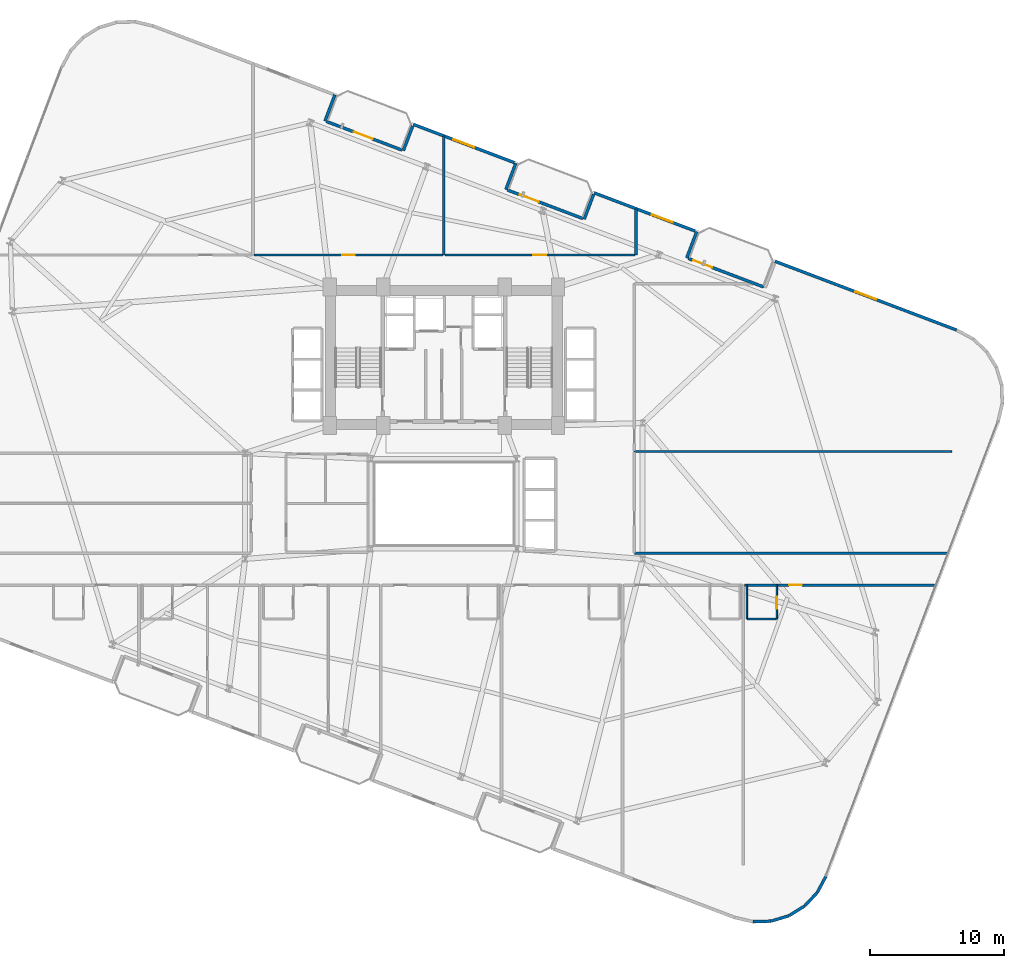
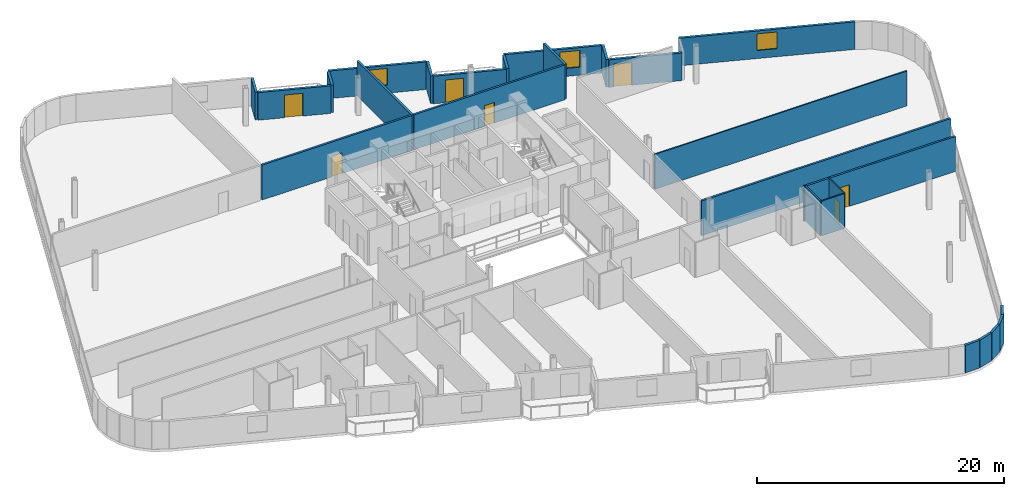
# One storey, part 20 of 25: 26 walls, 7 doors, 3 windows, 10 openings.
"""IFC4 building model written with IfcOpenShell, lengths in metres."""

from ifc_helpers import new_model, si_unit, direction, frame, frame_2d, origin, place, context, subcontext, project, spatial, rectangle, extrude, material, layer, layer_set, type_object, element, fill, save


model = new_model("IFC4")

# Units and contexts
model_context = context("Model", 3, precision=1e-05, world=origin(), true_north=direction((0.0, 1.0)))
body_context = subcontext(model_context, "Body", "Model", "MODEL_VIEW")
ifc_project = project(units=[si_unit("LENGTHUNIT", "METRE"), si_unit("AREAUNIT", "SQUARE_METRE"), si_unit("VOLUMEUNIT", "CUBIC_METRE"), si_unit("PLANEANGLEUNIT", "RADIAN"), si_unit("MASSUNIT", "GRAM", prefix="KILO")], contexts=[model_context])

# Site, building, storey
site_placement = place(None, origin())
site = spatial("IfcSite", under=ifc_project, at=site_placement, CompositionType="ELEMENT")
building_placement = place(site_placement, origin())
building = spatial("IfcBuilding", under=site, at=building_placement, Name="Varnelok Gate Tower", CompositionType="ELEMENT")
storey_placement = place(building_placement, frame((0.0, 0.0, 83.60009765625)))
storey = spatial("IfcBuildingStorey", under=building, at=storey_placement, Name="L20", CompositionType="ELEMENT", Elevation=83.60009765625)

# Wall, opening, door
ifc_material_1 = material(Name="Concrete C45/55", Category="concrete")
ifc_layer_1 = layer(ifc_material_1, 0.219970703125)
ifc_layer_set_1 = layer_set([ifc_layer_1], Name="Concrete C45/55")
wall_type_1 = type_object("IfcWallType", Name="EW-BALC-220", PredefinedType="SOLIDWALL", material=ifc_layer_set_1)
wall_1_placement = place(storey_placement, frame((30.465087890625, 51.37158203125, 0.0), z_axis=(0.0, 0.0, 1.0), x_axis=(0.935227640088, -0.354046976001, 0.0)))
wall_1 = element("IfcWall", 1, at=wall_1_placement, inside=storey, type_object=wall_type_1, Name="L20 North Terrace Envelope Wall 4", PredefinedType="SOLIDWALL", context=body_context, shape_type="SweptSolid", body=[
    extrude(rectangle(XDim=6.0, YDim=0.219970703125, at=frame_2d((3.0, 0.0))), origin(), (0.0, 0.0, 1.0), 2.72998046875),
])
opening_1_placement = place(wall_1_placement, frame((2.176025390625, 0.0, 0.0)))
opening_1 = element("IfcOpeningElement", 2, at=opening_1_placement, cuts=wall_1, Name="Opening BD-1", PredefinedType="OPENING", context=body_context, shape_type="SweptSolid", body=[
    extrude(rectangle(XDim=1.5, YDim=2.25, at=frame_2d((0.75, 1.125))), frame((0.0, 0.119873046875, 0.0), z_axis=(0.0, -1.0, 0.0), x_axis=(1.0, 0.0, 0.0)), (0.0, 0.0, 1.0), 0.239990234375),
])
ifc_material_2 = material(Name="Anodized Aluminum Alloy 6063-T6", Category="aluminium")
door_type_1 = type_object("IfcDoorType", Name="DR-EXT-BALC1500", OperationType="NOTDEFINED", PredefinedType="DOOR", material=ifc_material_2)
door_1_placement = place(opening_1_placement, origin())
door_1 = element("IfcDoor", 3, at=door_1_placement, inside=storey, type_object=door_type_1, Name="L20 North Balcony Glazed Door 4", OperationType="SINGLE_SWING_LEFT", OverallHeight=2.25, OverallWidth=1.5, PredefinedType="DOOR", context=body_context, shape_type="SweptSolid", body=[
    extrude(rectangle(XDim=1.5, YDim=2.25, at=frame_2d((0.75, 1.125))), frame((0.0, 0.02490234375, 0.0), z_axis=(0.0, -1.0, 0.0), x_axis=(1.0, 0.0, 0.0)), (0.0, 0.0, 1.0), 0.050048828125),
])
fill(opening_1, door_1)

wall_2_placement = place(storey_placement, frame((43.932373046875, 46.273193359375, 0.0), z_axis=(0.0, 0.0, 1.0), x_axis=(0.93521416643, -0.354082565101, 0.0)))
wall_2 = element("IfcWall", 4, at=wall_2_placement, inside=storey, type_object=wall_type_1, Name="L20 North Terrace Envelope Wall 5", PredefinedType="SOLIDWALL", context=body_context, shape_type="SweptSolid", body=[
    extrude(rectangle(XDim=6.0, YDim=0.219970703125, at=frame_2d((3.0, 0.0))), origin(), (0.0, 0.0, 1.0), 2.72998046875),
])
opening_2_placement = place(wall_2_placement, frame((0.991943359375, 0.0, 0.0)))
opening_2 = element("IfcOpeningElement", 5, at=opening_2_placement, cuts=wall_2, Name="Opening BD-1", PredefinedType="OPENING", context=body_context, shape_type="SweptSolid", body=[
    extrude(rectangle(XDim=1.5, YDim=2.25, at=frame_2d((0.75, 1.125))), frame((0.0, 0.119873046875, 0.0), z_axis=(0.0, -1.0, 0.0), x_axis=(1.0, 0.0, 0.0)), (0.0, 0.0, 1.0), 0.239990234375),
])
door_2_placement = place(opening_2_placement, origin())
door_2 = element("IfcDoor", 6, at=door_2_placement, inside=storey, type_object=door_type_1, Name="L20 North Balcony Glazed Door 5", OperationType="SINGLE_SWING_RIGHT", OverallHeight=2.25, OverallWidth=1.5, PredefinedType="DOOR", context=body_context, shape_type="SweptSolid", body=[
    extrude(rectangle(XDim=1.5, YDim=2.25, at=frame_2d((0.75, 1.125))), frame((0.0, 0.02490234375, 0.0), z_axis=(0.0, -1.0, 0.0), x_axis=(1.0, 0.0, 0.0)), (0.0, 0.0, 1.0), 0.050048828125),
])
fill(opening_2, door_2)

wall_3_placement = place(storey_placement, frame((57.3994140625, 41.174560546875, 0.0), z_axis=(0.0, 0.0, 1.0), x_axis=(0.935227640088, -0.354046976001, 0.0)))
wall_3 = element("IfcWall", 7, at=wall_3_placement, inside=storey, type_object=wall_type_1, Name="L20 North Terrace Envelope Wall 6", PredefinedType="SOLIDWALL", context=body_context, shape_type="SweptSolid", body=[
    extrude(rectangle(XDim=6.0, YDim=0.219970703125, at=frame_2d((3.0, 0.0))), origin(), (0.0, 0.0, 1.0), 2.72998046875),
])
opening_3_placement = place(wall_3_placement, frame((0.39990234375, 0.0, 0.0)))
opening_3 = element("IfcOpeningElement", 8, at=opening_3_placement, cuts=wall_3, Name="Opening BD-1", PredefinedType="OPENING", context=body_context, shape_type="SweptSolid", body=[
    extrude(rectangle(XDim=1.5, YDim=2.25, at=frame_2d((0.75, 1.125))), frame((0.0, 0.119873046875, 0.0), z_axis=(0.0, -1.0, 0.0), x_axis=(1.0, 0.0, 0.0)), (0.0, 0.0, 1.0), 0.239990234375),
])
door_3_placement = place(opening_3_placement, origin())
door_3 = element("IfcDoor", 9, at=door_3_placement, inside=storey, type_object=door_type_1, Name="L20 North Balcony Glazed Door 6", OperationType="SINGLE_SWING_LEFT", OverallHeight=2.25, OverallWidth=1.5, PredefinedType="DOOR", context=body_context, shape_type="SweptSolid", body=[
    extrude(rectangle(XDim=1.5, YDim=2.25, at=frame_2d((0.75, 1.125))), frame((0.0, 0.02490234375, 0.0), z_axis=(0.0, -1.0, 0.0), x_axis=(1.0, 0.0, 0.0)), (0.0, 0.0, 1.0), 0.050048828125),
])
fill(opening_3, door_3)

# Walls
wall_4_placement = place(storey_placement, frame((62.2158203125, -8.209228515625, 0.0), z_axis=(0.0, 0.0, 1.0), x_axis=(0.999523971993, 0.03085173271, 0.0)))
element("IfcWall", 10, at=wall_4_placement, inside=storey, type_object=wall_type_1, Name="L20 Perimeter Facade Closure Wall 18", PredefinedType="SOLIDWALL", context=body_context, shape_type="SweptSolid", body=[
    extrude(rectangle(XDim=1.353271484375, YDim=0.219970703125, at=frame_2d((0.6767578125, 0.0))), origin(), (0.0, 0.0, 1.0), 2.72998046875),
])
for number, where, z_axis, x_axis, name in (
    (11, (63.59228515625, -8.160400390625, 0.0), (0.0, 0.0, 1.0), (0.957532798303, 0.28832436625, 0.0), "L20 Perimeter Facade Closure Wall 19"),
    (12, (64.9091796875, -7.757080078125, 0.0), (0.0, 0.0, 1.0), (0.850180541217, 0.526491260456, 0.0), "L20 Perimeter Facade Closure Wall 20"),
):
    element("IfcWall", number, at=place(storey_placement, frame(where, z_axis=z_axis, x_axis=x_axis)), inside=storey, type_object=wall_type_1, Name=name, PredefinedType="SOLIDWALL", context=body_context, shape_type="SweptSolid", body=[
        extrude(rectangle(XDim=1.35302734375, YDim=0.219970703125, at=frame_2d((0.676513671875, 0.0))), origin(), (0.0, 0.0, 1.0), 2.72998046875),
    ])
wall_5_placement = place(storey_placement, frame((66.07666015625, -7.026611328125, 0.0), z_axis=(0.0, 0.0, 1.0), x_axis=(0.685032599484, 0.7285124142, 0.0)))
element("IfcWall", 13, at=wall_5_placement, inside=storey, type_object=wall_type_1, Name="L20 Perimeter Facade Closure Wall 21", PredefinedType="SOLIDWALL", context=body_context, shape_type="SweptSolid", body=[
    extrude(rectangle(XDim=1.353271484375, YDim=0.219970703125, at=frame_2d((0.6767578125, 0.0))), origin(), (0.0, 0.0, 1.0), 2.72998046875),
])
wall_6_placement = place(storey_placement, frame((67.015380859375, -6.018798828125, 0.0), z_axis=(0.0, 0.0, 1.0), x_axis=(0.473077364598, 0.881020889142, 0.0)))
element("IfcWall", 14, at=wall_6_placement, inside=storey, type_object=wall_type_1, Name="L20 Perimeter Facade Closure Wall 22", PredefinedType="SOLIDWALL", context=body_context, shape_type="SweptSolid", body=[
    extrude(rectangle(XDim=1.35302734375, YDim=0.219970703125, at=frame_2d((0.676513671875, 0.0))), origin(), (0.0, 0.0, 1.0), 2.72998046875),
])

# Wall, opening, window
wall_7_placement = place(storey_placement, frame((77.37451171875, 35.84716796875, 0.0), z_axis=(0.0, 0.0, 1.0), x_axis=(-0.935222448475, 0.354060689526, 0.0)))
wall_7 = element("IfcWall", 15, at=wall_7_placement, inside=storey, type_object=wall_type_1, Name="L20 Perimeter Facade Closure Wall 29", PredefinedType="SOLIDWALL", context=body_context, shape_type="SweptSolid", body=[
    extrude(rectangle(XDim=14.447265625, YDim=0.219970703125, at=frame_2d((7.2236328125, 0.0))), origin(), (0.0, 0.0, 1.0), 2.72998046875),
])
opening_4_placement = place(wall_7_placement, frame((6.398681640625, 0.0, 0.800048828125)))
opening_4 = element("IfcOpeningElement", 16, at=opening_4_placement, cuts=wall_7, Name="Opening WN3", PredefinedType="OPENING", context=body_context, shape_type="SweptSolid", body=[
    extrude(rectangle(XDim=1.64990234375, YDim=1.64990234375, at=frame_2d((0.824951171875, 0.824951171875))), frame((0.0, 0.119873046875, 0.0), z_axis=(0.0, -1.0, 0.0), x_axis=(1.0, 0.0, 0.0)), (0.0, 0.0, 1.0), 0.239990234375),
])
ifc_material_3 = material(Name="Low-E Laminated Double Glazing IGU", Category="glass")
window_type = type_object("IfcWindowType", Name="WN-HTL-1650", PartitioningType="SINGLE_PANEL", PredefinedType="WINDOW", material=ifc_material_3)
window_1_placement = place(opening_4_placement, origin())
window_1 = element("IfcWindow", 17, at=window_1_placement, inside=storey, type_object=window_type, Name="L20 Perimeter Vision Window 29", OverallHeight=1.64990234375, OverallWidth=1.64990234375, PartitioningType="SINGLE_PANEL", PredefinedType="WINDOW", context=body_context, shape_type="SweptSolid", body=[
    extrude(rectangle(XDim=1.64990234375, YDim=1.64990234375, at=frame_2d((0.824951171875, 0.824951171875))), frame((0.0, 0.030029296875, 0.0), z_axis=(0.0, -1.0, 0.0), x_axis=(1.0, 0.0, 0.0)), (0.0, 0.0, 1.0), 0.06005859375),
])
fill(opening_4, window_1)

# Wall
wall_8_placement = place(storey_placement, frame((57.28369140625, 41.207763671875, 0.0), z_axis=(0.0, 0.0, 1.0), x_axis=(0.354128469405, 0.935196785258, 0.0)))
element("IfcWall", 18, at=wall_8_placement, inside=storey, type_object=wall_type_1, Name="L20 Perimeter Facade Closure Wall 31", PredefinedType="SOLIDWALL", context=body_context, shape_type="SweptSolid", body=[
    extrude(rectangle(XDim=2.099853515625, YDim=0.219970703125, at=frame_2d((1.0498046875, 0.0))), origin(), (0.0, 0.0, 1.0), 2.72998046875),
])

# Wall, opening, window
wall_9_placement = place(storey_placement, frame((57.910400390625, 43.2158203125, 0.0), z_axis=(0.0, 0.0, 1.0), x_axis=(-0.935220736163, 0.354065212427, 0.0)))
wall_9 = element("IfcWall", 19, at=wall_9_placement, inside=storey, type_object=wall_type_1, Name="L20 Perimeter Facade Closure Wall 32", PredefinedType="SOLIDWALL", context=body_context, shape_type="SweptSolid", body=[
    extrude(rectangle(XDim=8.03515625, YDim=0.219970703125, at=frame_2d((4.017578125, 0.0))), origin(), (0.0, 0.0, 1.0), 2.72998046875),
])
opening_5_placement = place(wall_9_placement, frame((1.787841796875, 0.0, 0.800048828125)))
opening_5 = element("IfcOpeningElement", 20, at=opening_5_placement, cuts=wall_9, Name="Opening WN3", PredefinedType="OPENING", context=body_context, shape_type="SweptSolid", body=[
    extrude(rectangle(XDim=1.64990234375, YDim=1.64990234375, at=frame_2d((0.824951171875, 0.824951171875))), frame((0.0, 0.119873046875, 0.0), z_axis=(0.0, -1.0, 0.0), x_axis=(1.0, 0.0, 0.0)), (0.0, 0.0, 1.0), 0.239990234375),
])
window_2_placement = place(opening_5_placement, origin())
window_2 = element("IfcWindow", 21, at=window_2_placement, inside=storey, type_object=window_type, Name="L20 Perimeter Vision Window 32", OverallHeight=1.64990234375, OverallWidth=1.64990234375, PartitioningType="SINGLE_PANEL", PredefinedType="WINDOW", context=body_context, shape_type="SweptSolid", body=[
    extrude(rectangle(XDim=1.64990234375, YDim=1.64990234375, at=frame_2d((0.824951171875, 0.824951171875))), frame((0.0, 0.030029296875, 0.0), z_axis=(0.0, -1.0, 0.0), x_axis=(1.0, 0.0, 0.0)), (0.0, 0.0, 1.0), 0.06005859375),
])
fill(opening_5, window_2)

# Walls
wall_10_placement = place(storey_placement, frame((50.3515625, 45.94384765625, 0.0), z_axis=(0.0, 0.0, 1.0), x_axis=(-0.354061611705, -0.935222099352, 0.0)))
element("IfcWall", 22, at=wall_10_placement, inside=storey, type_object=wall_type_1, Name="L20 Perimeter Facade Closure Wall 33", PredefinedType="SOLIDWALL", context=body_context, shape_type="SweptSolid", body=[
    extrude(rectangle(XDim=1.974853515625, YDim=0.219970703125, at=frame_2d((0.9873046875, 0.0))), origin(), (0.0, 0.0, 1.0), 2.72998046875),
])
wall_11_placement = place(storey_placement, frame((43.816650390625, 46.30615234375, 0.0), z_axis=(0.0, 0.0, 1.0), x_axis=(0.353988291547, 0.935249854022, 0.0)))
element("IfcWall", 23, at=wall_11_placement, inside=storey, type_object=wall_type_1, Name="L20 Perimeter Facade Closure Wall 34", PredefinedType="SOLIDWALL", context=body_context, shape_type="SweptSolid", body=[
    extrude(rectangle(XDim=2.10009765625, YDim=0.219970703125, at=frame_2d((1.050048828125, 0.0))), origin(), (0.0, 0.0, 1.0), 2.72998046875),
])

# Wall, opening, window
wall_12_placement = place(storey_placement, frame((44.443115234375, 48.314453125, 0.0), z_axis=(0.0, 0.0, 1.0), x_axis=(-0.935226988293, 0.354048697735, 0.0)))
wall_12 = element("IfcWall", 24, at=wall_12_placement, inside=storey, type_object=wall_type_1, Name="L20 Perimeter Facade Closure Wall 35", PredefinedType="SOLIDWALL", context=body_context, shape_type="SweptSolid", body=[
    extrude(rectangle(XDim=8.034912109375, YDim=0.219970703125, at=frame_2d((4.017578125, 0.0))), origin(), (0.0, 0.0, 1.0), 2.72998046875),
])
opening_6_placement = place(wall_12_placement, frame((3.1923828125, 0.0, 0.800048828125)))
opening_6 = element("IfcOpeningElement", 25, at=opening_6_placement, cuts=wall_12, Name="Opening WN3", PredefinedType="OPENING", context=body_context, shape_type="SweptSolid", body=[
    extrude(rectangle(XDim=1.64990234375, YDim=1.64990234375, at=frame_2d((0.824951171875, 0.824951171875))), frame((0.0, 0.119873046875, 0.0), z_axis=(0.0, -1.0, 0.0), x_axis=(1.0, 0.0, 0.0)), (0.0, 0.0, 1.0), 0.239990234375),
])
window_3_placement = place(opening_6_placement, origin())
window_3 = element("IfcWindow", 26, at=window_3_placement, inside=storey, type_object=window_type, Name="L20 Perimeter Vision Window 35", OverallHeight=1.64990234375, OverallWidth=1.64990234375, PartitioningType="SINGLE_PANEL", PredefinedType="WINDOW", context=body_context, shape_type="SweptSolid", body=[
    extrude(rectangle(XDim=1.64990234375, YDim=1.64990234375, at=frame_2d((0.824951171875, 0.824951171875))), frame((0.0, 0.030029296875, 0.0), z_axis=(0.0, -1.0, 0.0), x_axis=(1.0, 0.0, 0.0)), (0.0, 0.0, 1.0), 0.06005859375),
])
fill(opening_6, window_3)

# Walls
wall_13_placement = place(storey_placement, frame((36.884521484375, 51.04248046875, 0.0), z_axis=(0.0, 0.0, 1.0), x_axis=(-0.354128791944, -0.935196663123, 0.0)))
element("IfcWall", 27, at=wall_13_placement, inside=storey, type_object=wall_type_1, Name="L20 Perimeter Facade Closure Wall 36", PredefinedType="SOLIDWALL", context=body_context, shape_type="SweptSolid", body=[
    extrude(rectangle(XDim=1.97509765625, YDim=0.219970703125, at=frame_2d((0.987548828125, 0.0))), origin(), (0.0, 0.0, 1.0), 2.72998046875),
])
wall_14_placement = place(storey_placement, frame((30.349365234375, 51.40478515625, 0.0), z_axis=(0.0, 0.0, 1.0), x_axis=(0.354128469405, 0.935196785258, 0.0)))
element("IfcWall", 28, at=wall_14_placement, inside=storey, type_object=wall_type_1, Name="L20 Perimeter Facade Closure Wall 37", PredefinedType="SOLIDWALL", context=body_context, shape_type="SweptSolid", body=[
    extrude(rectangle(XDim=2.099853515625, YDim=0.219970703125, at=frame_2d((1.0498046875, 0.0))), origin(), (0.0, 0.0, 1.0), 2.72998046875),
])

# Wall, opening, door
ifc_material_4 = material(Name="Gypsum Plasterboard Acoustic Partition", Category="gypsum")
ifc_layer_2 = layer(ifc_material_4, 0.179931640625)
ifc_layer_set_2 = layer_set([ifc_layer_2], Name="Gypsum Plasterboard Acoustic Partition")
wall_type_2 = type_object("IfcWallType", Name="PW-CORR-180", PredefinedType="PARTITIONING", material=ifc_layer_set_2)
wall_15_placement = place(storey_placement, frame((61.580078125, 16.85009765625, 0.0), z_axis=(0.0, 0.0, 1.0), x_axis=(1.0, 0.0, 0.0)))
wall_15 = element("IfcWall", 29, at=wall_15_placement, inside=storey, type_object=wall_type_2, Name="Interior Partition", PredefinedType="PARTITIONING", context=body_context, shape_type="SweptSolid", body=[
    extrude(rectangle(XDim=14.2216796875, YDim=0.179931640625, at=frame_2d((7.11083984375, 0.0))), origin(), (0.0, 0.0, 1.0), 3.449951171875),
])
opening_7_placement = place(wall_15_placement, frame((3.32470703125, 0.0, 0.0)))
opening_7 = element("IfcOpeningElement", 30, at=opening_7_placement, cuts=wall_15, Name="Opening D-HT", PredefinedType="OPENING", context=body_context, shape_type="SweptSolid", body=[
    extrude(rectangle(XDim=0.949951171875, YDim=2.14990234375, at=frame_2d((0.47509765625, 1.074951171875))), frame((0.0, 0.099853515625, 0.0), z_axis=(0.0, -1.0, 0.0), x_axis=(1.0, 0.0, 0.0)), (0.0, 0.0, 1.0), 0.199951171875),
])
ifc_material_5 = material(Name="Engineered Hardwood Timber", Category="wood")
door_type_2 = type_object("IfcDoorType", Name="DR-HTL-950", OperationType="NOTDEFINED", PredefinedType="DOOR", material=ifc_material_5)
door_4_placement = place(opening_7_placement, origin())
door_4 = element("IfcDoor", 31, at=door_4_placement, inside=storey, type_object=door_type_2, Name="L20 Guest Room 07 Entrance Door", OperationType="SINGLE_SWING_RIGHT", OverallHeight=2.14990234375, OverallWidth=0.949951171875, PredefinedType="DOOR", context=body_context, shape_type="SweptSolid", body=[
    extrude(rectangle(XDim=0.949951171875, YDim=2.14990234375, at=frame_2d((0.47509765625, 1.074951171875))), frame((0.0, 0.02490234375, 0.0), z_axis=(0.0, -1.0, 0.0), x_axis=(1.0, 0.0, 0.0)), (0.0, 0.0, 1.0), 0.050048828125),
])
fill(opening_7, door_4)

wall_16_placement = place(storey_placement, frame((25.080078125, 41.429931640625, 0.0), z_axis=(0.0, 0.0, 1.0), x_axis=(1.0, 0.0, 0.0)))
wall_16 = element("IfcWall", 32, at=wall_16_placement, inside=storey, type_object=wall_type_2, Name="Interior Partition", PredefinedType="PARTITIONING", context=body_context, shape_type="SweptSolid", body=[
    extrude(rectangle(XDim=14.0400390625, YDim=0.179931640625, at=frame_2d((7.02001953125, 0.0))), origin(), (0.0, 0.0, 1.0), 3.449951171875),
])
opening_8_placement = place(wall_16_placement, frame((6.544921875, 0.0, 0.0)))
opening_8 = element("IfcOpeningElement", 33, at=opening_8_placement, cuts=wall_16, Name="Opening D-I2", PredefinedType="OPENING", context=body_context, shape_type="SweptSolid", body=[
    extrude(rectangle(XDim=0.949951171875, YDim=2.050048828125, at=frame_2d((0.47509765625, 1.02490234375))), frame((0.0, 0.099853515625, 0.0), z_axis=(0.0, -1.0, 0.0), x_axis=(1.0, 0.0, 0.0)), (0.0, 0.0, 1.0), 0.199951171875),
])
door_type_3 = type_object("IfcDoorType", Name="DR-INT-950", OperationType="NOTDEFINED", PredefinedType="DOOR", material=ifc_material_5)
door_5_placement = place(opening_8_placement, origin())
door_5 = element("IfcDoor", 34, at=door_5_placement, inside=storey, type_object=door_type_3, Name="L20 Hotel Fitness Studio Door", OperationType="SINGLE_SWING_LEFT", OverallHeight=2.050048828125, OverallWidth=0.949951171875, PredefinedType="DOOR", context=body_context, shape_type="SweptSolid", body=[
    extrude(rectangle(XDim=0.949951171875, YDim=2.050048828125, at=frame_2d((0.47509765625, 1.02490234375))), frame((0.0, 0.02490234375, 0.0), z_axis=(0.0, -1.0, 0.0), x_axis=(1.0, 0.0, 0.0)), (0.0, 0.0, 1.0), 0.050048828125),
])
fill(opening_8, door_5)

wall_17_placement = place(storey_placement, frame((39.280029296875, 41.429931640625, 0.0), z_axis=(0.0, 0.0, 1.0), x_axis=(1.0, 0.0, 0.0)))
wall_17 = element("IfcWall", 35, at=wall_17_placement, inside=storey, type_object=wall_type_2, Name="Interior Partition", PredefinedType="PARTITIONING", context=body_context, shape_type="SweptSolid", body=[
    extrude(rectangle(XDim=14.139892578125, YDim=0.179931640625, at=frame_2d((7.06982421875, 0.0))), origin(), (0.0, 0.0, 1.0), 3.449951171875),
])
opening_9_placement = place(wall_17_placement, frame((6.594970703125, 0.0, 0.0)))
opening_9 = element("IfcOpeningElement", 36, at=opening_9_placement, cuts=wall_17, Name="Opening D-I2", PredefinedType="OPENING", context=body_context, shape_type="SweptSolid", body=[
    extrude(rectangle(XDim=0.949951171875, YDim=2.050048828125, at=frame_2d((0.47509765625, 1.02490234375))), frame((0.0, 0.099853515625, 0.0), z_axis=(0.0, -1.0, 0.0), x_axis=(1.0, 0.0, 0.0)), (0.0, 0.0, 1.0), 0.199951171875),
])
door_6_placement = place(opening_9_placement, origin())
door_6 = element("IfcDoor", 37, at=door_6_placement, inside=storey, type_object=door_type_3, Name="L20 Wellness Spa Lounge Door", OperationType="SINGLE_SWING_LEFT", OverallHeight=2.050048828125, OverallWidth=0.949951171875, PredefinedType="DOOR", context=body_context, shape_type="SweptSolid", body=[
    extrude(rectangle(XDim=0.949951171875, YDim=2.050048828125, at=frame_2d((0.47509765625, 1.02490234375))), frame((0.0, 0.02490234375, 0.0), z_axis=(0.0, -1.0, 0.0), x_axis=(1.0, 0.0, 0.0)), (0.0, 0.0, 1.0), 0.050048828125),
])
fill(opening_9, door_6)

# Walls
wall_18_placement = place(storey_placement, frame((53.389892578125, 19.239990234375, 0.0), z_axis=(0.0, 0.0, 1.0), x_axis=(1.0, 0.0, 0.0)))
element("IfcWall", 38, at=wall_18_placement, inside=storey, type_object=wall_type_2, Name="Interior Partition", PredefinedType="PARTITIONING", context=body_context, shape_type="SweptSolid", body=[
    extrude(rectangle(XDim=23.316650390625, YDim=0.179931640625, at=frame_2d((11.658203125, 0.0))), origin(), (0.0, 0.0, 1.0), 3.449951171875),
])
ifc_layer_3 = layer(ifc_material_4, 0.114990234375)
ifc_layer_set_3 = layer_set([ifc_layer_3], Name="Gypsum Plasterboard Acoustic Partition")
wall_type_3 = type_object("IfcWallType", Name="PW-ENS-125", PredefinedType="PARTITIONING", material=ifc_layer_set_3)
wall_19_placement = place(storey_placement, frame((61.800048828125, 14.330078125, 0.0), z_axis=(0.0, 0.0, 1.0), x_axis=(1.0, 0.0, 0.0)))
element("IfcWall", 39, at=wall_19_placement, inside=storey, type_object=wall_type_3, Name="Interior Partition", PredefinedType="PARTITIONING", context=body_context, shape_type="SweptSolid", body=[
    extrude(rectangle(XDim=2.14990234375, YDim=0.114990234375, at=frame_2d((1.074951171875, 0.0))), origin(), (0.0, 0.0, 1.0), 3.449951171875),
])

# Wall, opening, door
wall_20_placement = place(storey_placement, frame((63.989990234375, 14.330078125, 0.0), z_axis=(0.0, 0.0, 1.0), x_axis=(0.0, 1.0, 0.0)))
wall_20 = element("IfcWall", 40, at=wall_20_placement, inside=storey, type_object=wall_type_3, Name="Interior Partition", PredefinedType="PARTITIONING", context=body_context, shape_type="SweptSolid", body=[
    extrude(rectangle(XDim=2.52001953125, YDim=0.114990234375, at=frame_2d((1.260009765625, 0.0))), origin(), (0.0, 0.0, 1.0), 3.449951171875),
])
opening_10_placement = place(wall_20_placement, frame((0.760009765625, 0.0, 0.0)))
opening_10 = element("IfcOpeningElement", 41, at=opening_10_placement, cuts=wall_20, Name="Opening D-WC", PredefinedType="OPENING", context=body_context, shape_type="SweptSolid", body=[
    extrude(rectangle(XDim=0.89990234375, YDim=2.050048828125, at=frame_2d((0.449951171875, 1.02490234375))), frame((0.0, 0.0673828125, 0.0), z_axis=(0.0, -1.0, 0.0), x_axis=(1.0, 0.0, 0.0)), (0.0, 0.0, 1.0), 0.135009765625),
])
door_type_4 = type_object("IfcDoorType", Name="DR-BATH-900", OperationType="NOTDEFINED", PredefinedType="DOOR", material=ifc_material_5)
door_7_placement = place(opening_10_placement, origin())
door_7 = element("IfcDoor", 42, at=door_7_placement, inside=storey, type_object=door_type_4, Name="L20 Guest En-Suite 07 Door", OperationType="SINGLE_SWING_LEFT", OverallHeight=2.050048828125, OverallWidth=0.89990234375, PredefinedType="DOOR", context=body_context, shape_type="SweptSolid", body=[
    extrude(rectangle(XDim=0.89990234375, YDim=2.050048828125, at=frame_2d((0.449951171875, 1.02490234375))), frame((0.0, 0.02490234375, 0.0), z_axis=(0.0, -1.0, 0.0), x_axis=(1.0, 0.0, 0.0)), (0.0, 0.0, 1.0), 0.050048828125),
])
fill(opening_10, door_7)

# Walls
wall_21_placement = place(storey_placement, frame((61.760009765625, 14.330078125, 0.0), z_axis=(0.0, 0.0, 1.0), x_axis=(0.0, 1.0, 0.0)))
element("IfcWall", 43, at=wall_21_placement, inside=storey, type_object=wall_type_3, Name="Interior Partition", PredefinedType="PARTITIONING", context=body_context, shape_type="SweptSolid", body=[
    extrude(rectangle(XDim=2.52001953125, YDim=0.114990234375, at=frame_2d((1.260009765625, 0.0))), origin(), (0.0, 0.0, 1.0), 3.449951171875),
])
ifc_layer_4 = layer(ifc_material_4, 0.125)
ifc_layer_set_4 = layer_set([ifc_layer_4], Name="Gypsum Plasterboard Acoustic Partition")
wall_type_4 = type_object("IfcWallType", Name="PW-PART-125", PredefinedType="PARTITIONING", material=ifc_layer_set_4)
wall_22_placement = place(storey_placement, frame((53.389892578125, 26.800048828125, 0.0), z_axis=(0.0, 0.0, 1.0), x_axis=(1.0, 0.0, 0.0)))
element("IfcWall", 44, at=wall_22_placement, inside=storey, type_object=wall_type_4, Name="Interior Partition", PredefinedType="PARTITIONING", context=body_context, shape_type="SweptSolid", body=[
    extrude(rectangle(XDim=23.610107421875, YDim=0.125, at=frame_2d((11.80517578125, 0.0))), origin(), (0.0, 0.0, 1.0), 3.449951171875),
])
ifc_layer_5 = layer(ifc_material_4, 0.205078125)
ifc_layer_set_5 = layer_set([ifc_layer_5], Name="Gypsum Plasterboard Acoustic Partition")
wall_type_5 = type_object("IfcWallType", Name="PW-PARTY-200", PredefinedType="PARTITIONING", material=ifc_layer_set_5)
wall_23_placement = place(storey_placement, frame((39.199951171875, 41.429931640625, 0.0), z_axis=(0.0, 0.0, 1.0), x_axis=(0.0, 1.0, 0.0)))
element("IfcWall", 45, at=wall_23_placement, inside=storey, type_object=wall_type_5, Name="L20 North Party Wall 2", PredefinedType="PARTITIONING", context=body_context, shape_type="SweptSolid", body=[
    extrude(rectangle(XDim=8.84814453125, YDim=0.205078125, at=frame_2d((4.424072265625, 0.0))), origin(), (0.0, 0.0, 1.0), 3.449951171875),
])
wall_24_placement = place(storey_placement, frame((53.5, 41.429931640625, 0.0), z_axis=(0.0, 0.0, 1.0), x_axis=(0.0, 1.0, 0.0)))
element("IfcWall", 46, at=wall_24_placement, inside=storey, type_object=wall_type_5, Name="L20 North Party Wall 3", PredefinedType="PARTITIONING", context=body_context, shape_type="SweptSolid", body=[
    extrude(rectangle(XDim=3.434326171875, YDim=0.205078125, at=frame_2d((1.71728515625, 0.0))), origin(), (0.0, 0.0, 1.0), 3.449951171875),
])

save(model, "model.ifc")
